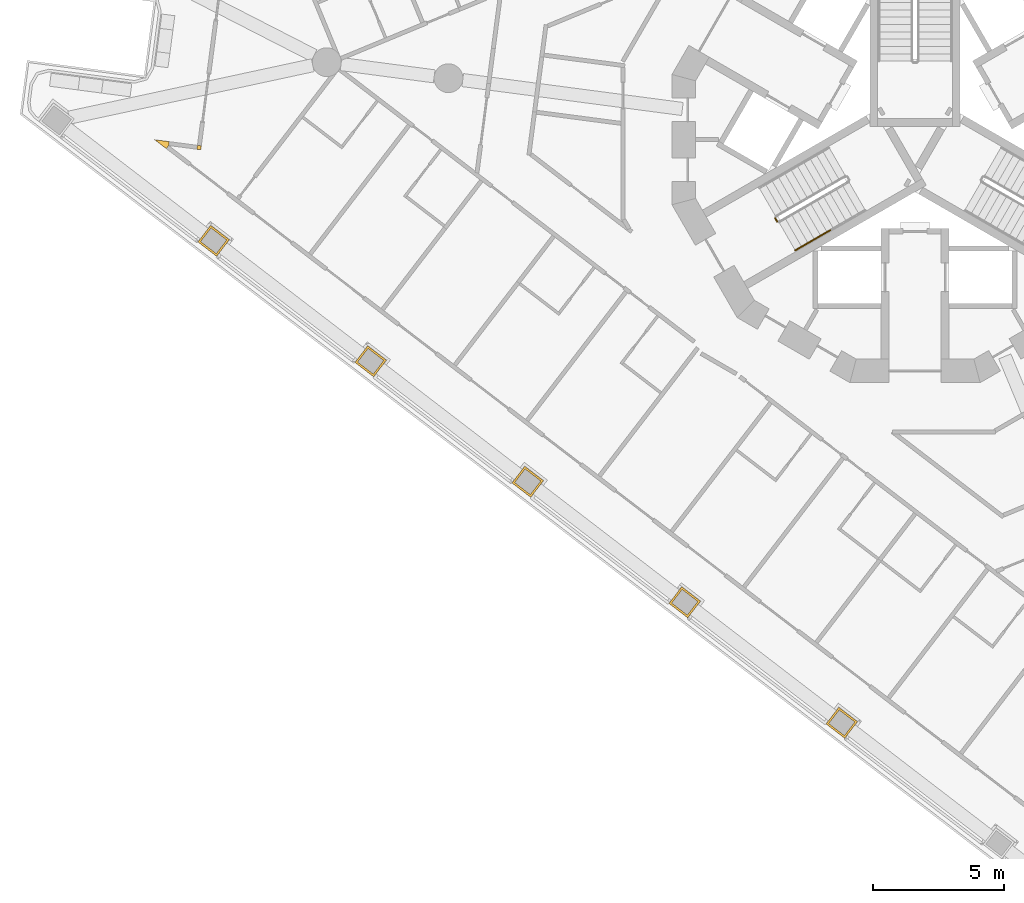
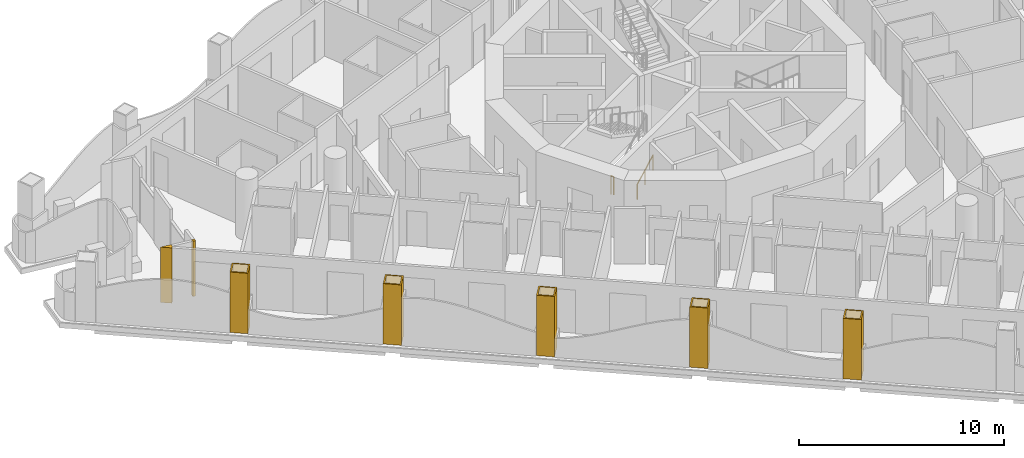
# One storey, part 12 of 18: 7 coverings, 2 railings.
"""IFC4 building model written with IfcOpenShell, lengths in metres."""

from ifc_helpers import new_model, si_unit, direction, frame, origin, origin_2d, place, context, subcontext, project, spatial, polyline, circle, outline, extrude, material, layer, layer_set, type_object, element, save


model = new_model("IFC4")

# Units and contexts
model_context = context("Model", 3, precision=1e-05, world=origin(), true_north=direction((0.0, 1.0)))
body_context = subcontext(model_context, "Body", "Model", "MODEL_VIEW")
ifc_project = project(units=[si_unit("LENGTHUNIT", "METRE"), si_unit("AREAUNIT", "SQUARE_METRE"), si_unit("VOLUMEUNIT", "CUBIC_METRE"), si_unit("PLANEANGLEUNIT", "RADIAN"), si_unit("MASSUNIT", "GRAM", prefix="KILO")], contexts=[model_context])

# Site, building, storey
site_placement = place(None, origin())
site = spatial("IfcSite", under=ifc_project, at=site_placement, CompositionType="ELEMENT")
building_placement = place(site_placement, origin())
building = spatial("IfcBuilding", under=site, at=building_placement, Name="Trine Commons Tower", CompositionType="ELEMENT")
storey_placement = place(building_placement, frame((0.0, 0.0, 145.800048828125)))
storey = spatial("IfcBuildingStorey", under=building, at=storey_placement, Name="L37", CompositionType="ELEMENT", Elevation=145.800048828125)

# Coverings
ifc_material_1 = material(Name="Aluminium-framed insulated wall panel", Category="aluminium")
ifc_layer_1 = layer(ifc_material_1, 0.14990234375)
ifc_layer_set_1 = layer_set([ifc_layer_1], Name="Aluminium-framed insulated wall panel")
covering_type_1 = type_object("IfcCoveringType", Name="Glazing corner post, aluminium", PredefinedType="CLADDING", material=ifc_layer_set_1)
covering_1_placement = place(storey_placement, origin())
element("IfcCovering", 1, at=covering_1_placement, inside=storey, type_object=covering_type_1, Name="Glazing corner post 4-01", PredefinedType="CLADDING", context=body_context, shape_type="SweptSolid", body=[
    extrude(outline(polyline([(51.43359375, 62.15576171875), (51.52490234375, 62.27490234375), (51.54443359375, 62.423583984375), (50.989501953125, 62.49658203125), (51.43359375, 62.15576171875)])), origin(), (0.0, 0.0, 1.0), 3.300048828125),
])
covering_2_placement = place(storey_placement, origin())
element("IfcCovering", 2, at=covering_2_placement, inside=storey, type_object=covering_type_1, Name="Glazing corner post 4-02", PredefinedType="CLADDING", context=body_context, shape_type="SweptSolid", body=[
    extrude(outline(polyline([(52.601318359375, 62.133056640625), (52.75, 62.113525390625), (52.76953125, 62.26220703125), (52.620849609375, 62.28173828125), (52.601318359375, 62.133056640625)])), origin(), (0.0, 0.0, 1.0), 3.300048828125),
])
ifc_material_2 = material(Name="Limestone, honed", Category="masonry")
ifc_layer_2 = layer(ifc_material_2, 0.074951171875)
ifc_layer_set_2 = layer_set([ifc_layer_2], Name="Limestone, honed")
covering_type_2 = type_object("IfcCoveringType", Name="Limestone column cladding 75", PredefinedType="CLADDING", material=ifc_layer_set_2)
covering_3_placement = place(storey_placement, origin())
element("IfcCovering", 3, at=covering_3_placement, inside=storey, type_object=covering_type_2, Name="Limestone pier cladding 4-03", PredefinedType="CLADDING", context=body_context, shape_type="SweptSolid", body=[
    extrude(outline(polyline([(77.092041015625, 40.84130859375), (76.60498046875, 40.206787109375), (77.319091796875, 39.65869140625), (77.805908203125, 40.29345703125), (77.092041015625, 40.84130859375)]), holes=[polyline([(77.105712890625, 40.736083984375), (76.710205078125, 40.220458984375), (77.30517578125, 39.763916015625), (77.700927734375, 40.27978515625), (77.105712890625, 40.736083984375)])]), origin(), (0.0, 0.0, 1.0), 3.599853515625),
])
covering_4_placement = place(storey_placement, origin())
element("IfcCovering", 4, at=covering_4_placement, inside=storey, type_object=covering_type_2, Name="Limestone pier cladding 4-04", PredefinedType="CLADDING", context=body_context, shape_type="SweptSolid", body=[
    extrude(outline(polyline([(71.1005859375, 45.438720703125), (70.61376953125, 44.803955078125), (71.32763671875, 44.256103515625), (71.814697265625, 44.890869140625), (71.1005859375, 45.438720703125)]), holes=[polyline([(71.114501953125, 45.33349609375), (70.71875, 44.81787109375), (71.31396484375, 44.361328125), (71.709716796875, 44.876953125), (71.114501953125, 45.33349609375)])]), origin(), (0.0, 0.0, 1.0), 3.599853515625),
])
covering_5_placement = place(storey_placement, origin())
element("IfcCovering", 5, at=covering_5_placement, inside=storey, type_object=covering_type_2, Name="Limestone pier cladding 4-05", PredefinedType="CLADDING", context=body_context, shape_type="SweptSolid", body=[
    extrude(outline(polyline([(65.109375, 50.035888671875), (64.622314453125, 49.4013671875), (65.336181640625, 48.853515625), (65.8232421875, 49.488037109375), (65.109375, 50.035888671875)]), holes=[polyline([(65.123046875, 49.930908203125), (64.727294921875, 49.4150390625), (65.322509765625, 48.95849609375), (65.71826171875, 49.474365234375), (65.123046875, 49.930908203125)])]), origin(), (0.0, 0.0, 1.0), 3.599853515625),
])
covering_6_placement = place(storey_placement, origin())
element("IfcCovering", 6, at=covering_6_placement, inside=storey, type_object=covering_type_2, Name="Limestone pier cladding 4-06", PredefinedType="CLADDING", context=body_context, shape_type="SweptSolid", body=[
    extrude(outline(polyline([(59.117919921875, 54.63330078125), (58.631103515625, 53.998779296875), (59.344970703125, 53.45068359375), (59.83203125, 54.08544921875), (59.117919921875, 54.63330078125)]), holes=[polyline([(59.1318359375, 54.5283203125), (58.736083984375, 54.012451171875), (59.331298828125, 53.555908203125), (59.726806640625, 54.07177734375), (59.1318359375, 54.5283203125)])]), origin(), (0.0, 0.0, 1.0), 3.599853515625),
])
covering_7_placement = place(storey_placement, origin())
element("IfcCovering", 7, at=covering_7_placement, inside=storey, type_object=covering_type_2, Name="Limestone pier cladding 4-07", PredefinedType="CLADDING", context=body_context, shape_type="SweptSolid", body=[
    extrude(outline(polyline([(53.126708984375, 59.230712890625), (52.6396484375, 58.595947265625), (53.353515625, 58.048095703125), (53.840576171875, 58.682861328125), (53.126708984375, 59.230712890625)]), holes=[polyline([(53.140380859375, 59.12548828125), (52.74462890625, 58.60986328125), (53.33984375, 58.1533203125), (53.735595703125, 58.6689453125), (53.140380859375, 59.12548828125)])]), origin(), (0.0, 0.0, 1.0), 3.599853515625),
])

# Railings
ifc_material_3 = material(Name="Stainless steel balustrade", Category="steel")
railing_type_1 = type_object("IfcRailingType", Name="Stair guard, steel balustrade 1100", PredefinedType="GUARDRAIL", material=ifc_material_3)
railing_1_placement = place(storey_placement, frame((74.73681640625, 59.374755859375, 0.0)))
element("IfcRailing", 8, at=railing_1_placement, inside=storey, type_object=railing_type_1, Name="L37 ST2B stair guard 4", PredefinedType="GUARDRAIL", context=body_context, shape_type="SweptSolid", body=[
    extrude(circle(Radius=0.02392578125, at=origin_2d()), frame((0.0, 0.0, 1.076171875), z_axis=(-0.499816412211, 0.866131372301, 0.0), x_axis=(-0.866131372301, -0.499816412211, 0.0)), (0.0, 0.0, 1.0), 0.14990234375),
    extrude(circle(Radius=0.02099609375, at=origin_2d()), origin(), (0.0, 0.0, 1.0), 1.052001953125),
    extrude(circle(Radius=0.02099609375, at=origin_2d()), frame((-0.074951171875, 0.1298828125, 0.0)), (0.0, 0.0, 1.0), 1.052001953125),
])
ifc_material_4 = material(Name="Stainless steel handrail", Category="steel")
railing_type_2 = type_object("IfcRailingType", Name="Stair handrail, steel 900", PredefinedType="HANDRAIL", material=ifc_material_4)
railing_2_placement = place(storey_placement, frame((75.43017578125, 58.27392578125, 0.14990234375)))
element("IfcRailing", 9, at=railing_2_placement, inside=storey, type_object=railing_type_2, Name="L37 ST2B stair handrail 1", PredefinedType="HANDRAIL", context=body_context, shape_type="SweptSolid", body=[
    extrude(circle(Radius=0.02099609375, at=origin_2d()), frame((0.0, 0.0, 0.87890625), z_axis=(0.76340495495, 0.440743040072, 0.472184759798), x_axis=(-0.499992328818, 0.866029832698, 0.0)), (0.0, 0.0, 1.0), 1.7470703125),
    extrude(circle(Radius=0.01513671875, at=origin_2d()), origin(), (0.0, 0.0, 1.0), 0.85791015625),
    extrude(circle(Radius=0.01513671875, at=origin_2d()), frame((0.6669921875, 0.385009765625, 0.41259765625)), (0.0, 0.0, 1.0), 0.85791015625),
    extrude(circle(Radius=0.01513671875, at=origin_2d()), frame((1.333740234375, 0.77001953125, 0.824951171875)), (0.0, 0.0, 1.0), 0.85791015625),
])

save(model, "model.ifc")
